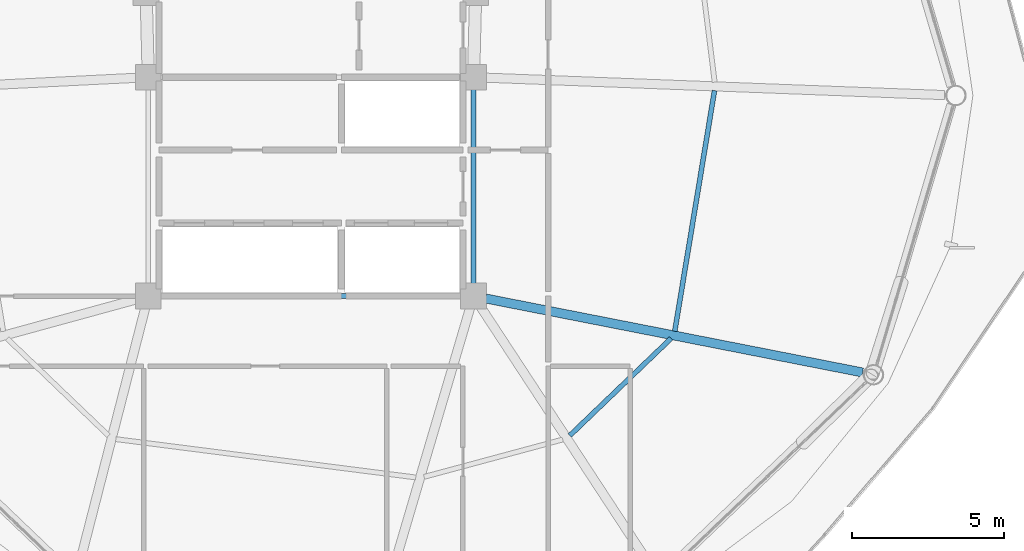
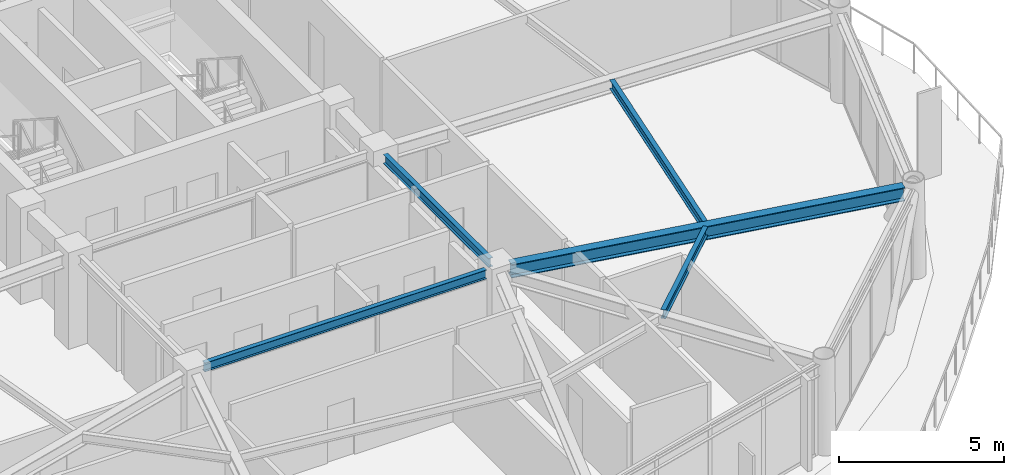
# One storey, part 10 of 28: 5 beams.
"""IFC4 building model written with IfcOpenShell, lengths in metres."""

from ifc_helpers import new_model, si_unit, direction, frame, origin, origin_2d, place, context, subcontext, project, spatial, i_section, extrude, material, material_profile, profile_set, type_object, element, save


model = new_model("IFC4")

# Units and contexts
model_context = context("Model", 3, precision=1e-05, world=origin(), true_north=direction((0.0, 1.0)))
body_context = subcontext(model_context, "Body", "Model", "MODEL_VIEW")
ifc_project = project(units=[si_unit("LENGTHUNIT", "METRE"), si_unit("AREAUNIT", "SQUARE_METRE"), si_unit("VOLUMEUNIT", "CUBIC_METRE"), si_unit("PLANEANGLEUNIT", "RADIAN"), si_unit("MASSUNIT", "GRAM", prefix="KILO")], contexts=[model_context])

# Site, building, storey
site_placement = place(None, origin())
site = spatial("IfcSite", under=ifc_project, at=site_placement, CompositionType="ELEMENT")
building_placement = place(site_placement, origin())
building = spatial("IfcBuilding", under=site, at=building_placement, Name="Varnakorn Sky Granary", CompositionType="ELEMENT")
storey_placement = place(building_placement, frame((0.0, 0.0, 200.39990234375)))
storey = spatial("IfcBuildingStorey", under=building, at=storey_placement, Name="L50", CompositionType="ELEMENT", Elevation=200.39990234375)

# Beams
ifc_material = material(Name="Steel S355JR", Category="steel")
ifc_material_profile_1 = material_profile(ifc_material, i_section(OverallWidth=0.300048828125, OverallDepth=0.5, WebThickness=0.014404296875, FlangeThickness=0.028076171875, at=origin_2d()), Name="HE 500 B")
ifc_profile_set_1 = profile_set([ifc_material_profile_1], Name="Steel S355JR")
beam_type_1 = type_object("IfcBeamType", Name="BM-RAD-Z4", PredefinedType="BEAM", material=ifc_profile_set_1)
beam_1_placement = place(storey_placement, frame((8.747314453125, -6.677978515625, 3.110107421875), z_axis=(0.981278176821, -0.192595793556, 0.0), x_axis=(0.192595793556, 0.981278176821, 0.0)))
element("IfcBeam", 1, at=beam_1_placement, inside=storey, type_object=beam_type_1, Name="Radial Floor Girder RG12 L50", PredefinedType="BEAM", context=body_context, shape_type="SweptSolid", body=[
    extrude(i_section(OverallWidth=0.300048828125, OverallDepth=0.5, WebThickness=0.014404296875, FlangeThickness=0.028076171875, at=origin_2d()), origin(), (0.0, 0.0, 1.0), 12.634521484375),
])
ifc_material_profile_2 = material_profile(ifc_material, i_section(OverallWidth=0.159912109375, OverallDepth=0.330078125, WebThickness=0.007568359375, FlangeThickness=0.011474609375, at=origin_2d()), Name="IPE 330")
ifc_profile_set_2 = profile_set([ifc_material_profile_2], Name="Steel S355JR")
beam_type_2 = type_object("IfcBeamType", Name="BM-SEC-Z4", PredefinedType="BEAM", material=ifc_profile_set_2)
beam_2_placement = place(storey_placement, frame((11.518798828125, -11.183837890625, 3.195068359375), z_axis=(0.721519586554, 0.692394025262, 0.0), x_axis=(-0.692394025262, 0.721519586554, 0.0)))
element("IfcBeam", 2, at=beam_2_placement, inside=storey, type_object=beam_type_2, Name="Secondary Floor Chord Beam MSB11 L50", PredefinedType="BEAM", context=body_context, shape_type="SweptSolid", body=[
    extrude(i_section(OverallWidth=0.159912109375, OverallDepth=0.330078125, WebThickness=0.007568359375, FlangeThickness=0.011474609375, at=origin_2d()), origin(), (0.0, 0.0, 1.0), 4.6103515625),
])
beam_3_placement = place(storey_placement, frame((14.968994140625, -7.756591796875, 3.195068359375), z_axis=(0.162903785497, 0.986641959715, 0.0), x_axis=(-0.986641959715, 0.162903785497, 0.0)))
element("IfcBeam", 3, at=beam_3_placement, inside=storey, type_object=beam_type_2, Name="Secondary Floor Chord Beam MSB12 L50", PredefinedType="BEAM", context=body_context, shape_type="SweptSolid", body=[
    extrude(i_section(OverallWidth=0.159912109375, OverallDepth=0.330078125, WebThickness=0.007568359375, FlangeThickness=0.011474609375, at=origin_2d()), origin(), (0.0, 0.0, 1.0), 8.02392578125),
])
beam_4_placement = place(storey_placement, frame((8.35009765625, 0.195068359375, 3.195068359375), z_axis=(0.0, -1.0, 0.0), x_axis=(1.0, 0.0, 0.0)))
element("IfcBeam", 4, at=beam_4_placement, inside=storey, type_object=beam_type_2, Name="Core Spine Framing Beam 4 L50", PredefinedType="BEAM", context=body_context, shape_type="SweptSolid", body=[
    extrude(i_section(OverallWidth=0.159912109375, OverallDepth=0.330078125, WebThickness=0.007568359375, FlangeThickness=0.011474609375, at=origin_2d()), origin(), (0.0, 0.0, 1.0), 6.39013671875),
])
beam_5_placement = place(storey_placement, frame((-1.945068359375, -6.60009765625, 3.195068359375), z_axis=(1.0, 0.0, 0.0), x_axis=(0.0, 1.0, 0.0)))
element("IfcBeam", 5, at=beam_5_placement, inside=storey, type_object=beam_type_2, Name="Core Spine Framing Beam 6 L50", PredefinedType="BEAM", context=body_context, shape_type="SweptSolid", body=[
    extrude(i_section(OverallWidth=0.159912109375, OverallDepth=0.330078125, WebThickness=0.007568359375, FlangeThickness=0.011474609375, at=origin_2d()), origin(), (0.0, 0.0, 1.0), 9.89013671875),
])

save(model, "model.ifc")
